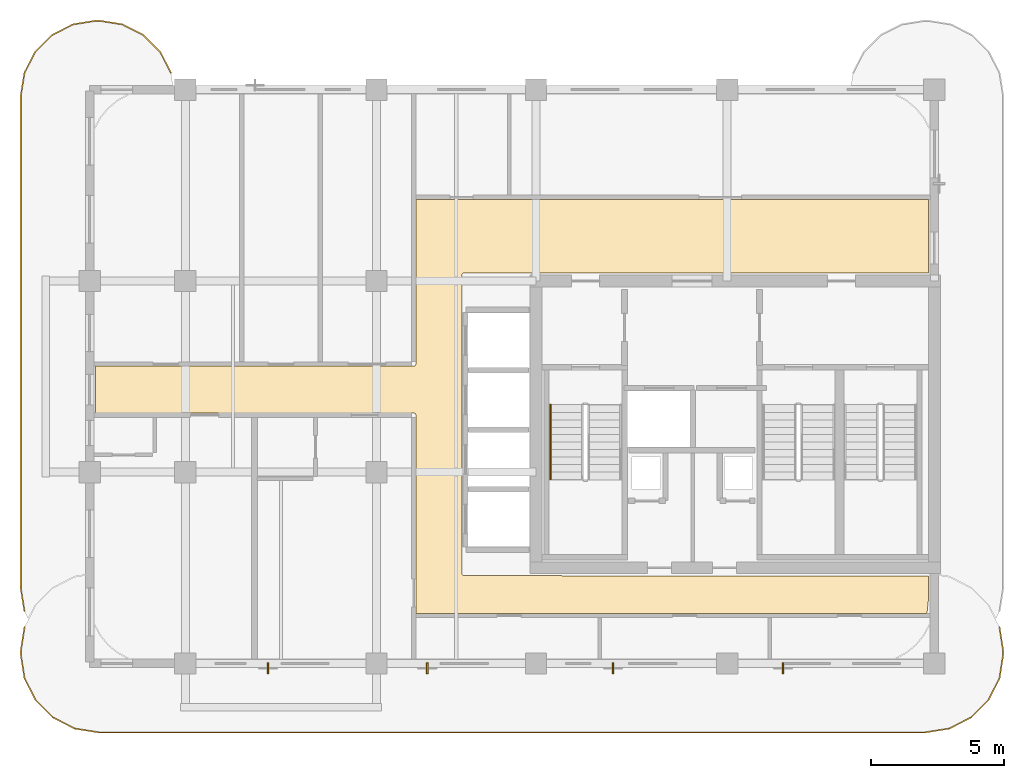
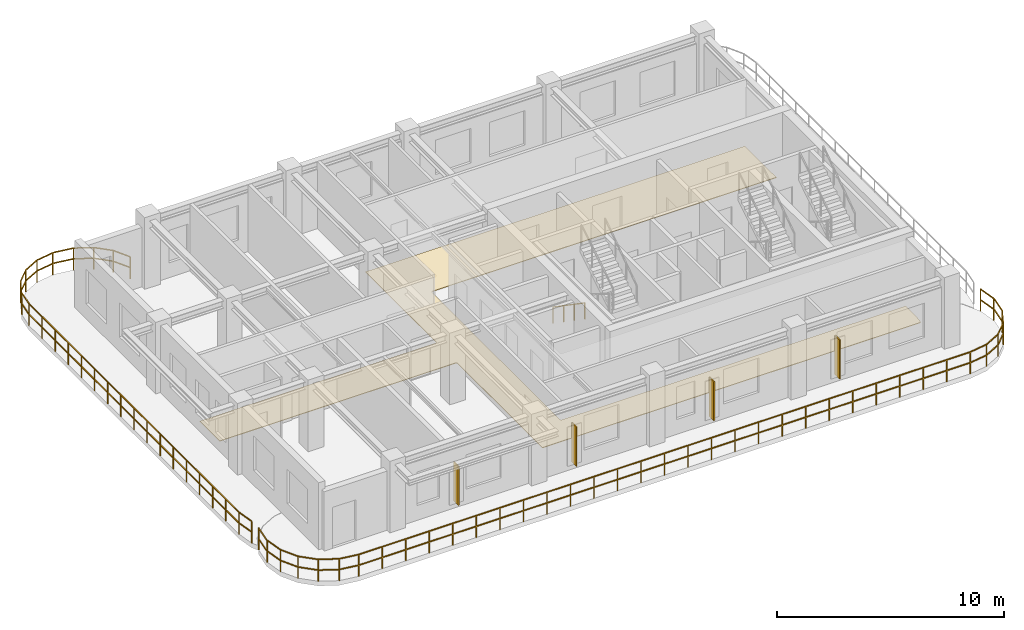
# One storey, part 6 of 8: 4 shading devices, 3 railings, 1 covering.
"""IFC4 building model written with IfcOpenShell, lengths in metres."""

from ifc_helpers import new_model, si_unit, derived_unit, direction, frame, origin, origin_2d, place, context, subcontext, project, spatial, polyline, rectangle, outline, extrude, source, transform, mapped, material, layer, layer_set, type_object, type_shapes, element, save


model = new_model("IFC4")

# Units and contexts
model_context = context("Model", 3, precision=1e-05, world=origin(), true_north=direction((0.0, 1.0)))
body_context = subcontext(model_context, "Body", "Model", "MODEL_VIEW")
ifc_project = project(units=[si_unit("LENGTHUNIT", "METRE"), si_unit("AREAUNIT", "SQUARE_METRE"), si_unit("VOLUMEUNIT", "CUBIC_METRE"), si_unit("PLANEANGLEUNIT", "RADIAN"), si_unit("MASSUNIT", "GRAM", prefix="KILO"), si_unit("THERMODYNAMICTEMPERATUREUNIT", "KELVIN"), si_unit("POWERUNIT", "WATT"), derived_unit("THERMALTRANSMITTANCEUNIT", [(si_unit("POWERUNIT", "WATT"), 1), (si_unit("AREAUNIT", "SQUARE_METRE"), -1), (si_unit("THERMODYNAMICTEMPERATUREUNIT", "KELVIN"), -1)])], contexts=[model_context])

# Site, building, storey
site_placement = place(None, origin())
site = spatial("IfcSite", under=ifc_project, at=site_placement, CompositionType="ELEMENT")
building_placement = place(site_placement, origin())
building = spatial("IfcBuilding", under=site, at=building_placement, Name="Zahravan Archway Hotel and Residences", CompositionType="ELEMENT")
storey_placement = place(building_placement, frame((0.0, 0.0, 263.5)))
storey = spatial("IfcBuildingStorey", under=building, at=storey_placement, Name="L66", CompositionType="ELEMENT", Elevation=263.5)

# Covering
ifc_material_1 = material(Name="Honed Margalla Limestone & Mortar Bed", Category="masonry")
ifc_layer_1 = layer(ifc_material_1, 0.030029296875, Name="Honed Margalla Limestone & Mortar Bed", Category="masonry")
ifc_layer_set_1 = layer_set([ifc_layer_1], Name="Honed Margalla Limestone & Mortar Bed")
covering_type = type_object("IfcCoveringType", Name="COV-FLR-STONE", PredefinedType="FLOORING", material=ifc_layer_set_1)
covering_placement = place(storey_placement, origin())
element("IfcCovering", 1, at=covering_placement, inside=storey, type_object=covering_type, Name="L66 Circulation Floor Finish", PredefinedType="FLOORING", context=body_context, shape_type="SweptSolid", body=[
    extrude(outline(polyline([(30.215576171875, 11.19140625), (30.256591796875, 11.21337890625), (30.278564453125, 11.25439453125), (30.280029296875, 17.469970703125), (49.580078125, 17.469970703125), (49.580078125, 14.705078125), (32.10009765625, 14.705078125), (32.0556640625, 14.69140625), (32.026123046875, 14.655517578125), (32.02001953125, 3.375), (32.033447265625, 3.33056640625), (32.0693359375, 3.301025390625), (49.580078125, 3.294921875), (49.580078125, 2.410888671875), (49.537109375, 1.974853515625), (49.50830078125, 1.8798828125), (30.280029296875, 1.8798828125), (30.280029296875, 9.35009765625), (30.2666015625, 9.394287109375), (30.230712890625, 9.423828125), (18.219970703125, 9.429931640625), (18.219970703125, 11.18994140625), (30.199951171875, 11.18994140625), (30.215576171875, 11.19140625)])), origin(), (0.0, 0.0, 1.0), 0.030029296875),
])

# Railings
ifc_material_2 = material(Name="Bronze & Laminated Glass Balustrade", Category="glass")
railing_type_1 = type_object("IfcRailingType", Name="RL-BAL-1200", PredefinedType="BALUSTRADE", material=ifc_material_2)
railing_1_placement = place(storey_placement, frame((52.255615234375, 1.361572265625, 0.0)))
element("IfcRailing", 2, at=railing_1_placement, inside=storey, type_object=railing_type_1, Name="L66 Balustrade RL-SLB-BAL-L66-SA-1", PredefinedType="BALUSTRADE", context=body_context, shape_type="SweptSolid", body=[
    extrude(rectangle(XDim=0.048095703125, YDim=0.048095703125, at=origin_2d()), frame((0.0, 0.0, 1.17578125), z_axis=(0.156329311416, -0.987704989555, 0.0), x_axis=(0.987704989555, 0.156329311416, 0.0)), (0.0, 0.0, 1.0), 0.9228515625),
    extrude(rectangle(XDim=0.048095703125, YDim=0.048095703125, at=origin_2d()), frame((0.0, 0.0, 0.60009765625), z_axis=(0.156329311416, -0.987704989555, 0.0), x_axis=(0.987704989555, 0.156329311416, 0.0)), (0.0, 0.0, 1.0), 0.9228515625),
    extrude(rectangle(XDim=0.048095703125, YDim=0.048095703125, at=origin_2d()), frame((0.144287109375, -0.91162109375, 1.17578125), z_axis=(0.0, -1.0, 0.0), x_axis=(1.0, 0.0, 0.0)), (0.0, 0.0, 1.0), 0.099853515625),
    extrude(rectangle(XDim=0.048095703125, YDim=0.048095703125, at=origin_2d()), frame((0.144287109375, -0.91162109375, 0.60009765625), z_axis=(0.0, -1.0, 0.0), x_axis=(1.0, 0.0, 0.0)), (0.0, 0.0, 1.0), 0.099853515625),
    extrude(rectangle(XDim=0.048095703125, YDim=0.048095703125, at=origin_2d()), frame((0.144287109375, -1.011474609375, 1.17578125), z_axis=(-0.156329311416, -0.987704989555, 0.0), x_axis=(0.987704989555, -0.156329311416, 0.0)), (0.0, 0.0, 1.0), 0.9228515625),
    extrude(rectangle(XDim=0.048095703125, YDim=0.048095703125, at=origin_2d()), frame((0.144287109375, -1.011474609375, 0.60009765625), z_axis=(-0.156329311416, -0.987704989555, 0.0), x_axis=(0.987704989555, -0.156329311416, 0.0)), (0.0, 0.0, 1.0), 0.9228515625),
    extrude(rectangle(XDim=0.048095703125, YDim=0.048095703125, at=origin_2d()), frame((0.0, -1.923095703125, 1.17578125), z_axis=(-0.453866348456, -0.891069771532, 0.0), x_axis=(0.891069771532, -0.453866348456, 0.0)), (0.0, 0.0, 1.0), 0.923095703125),
    extrude(rectangle(XDim=0.048095703125, YDim=0.048095703125, at=origin_2d()), frame((0.0, -1.923095703125, 0.60009765625), z_axis=(-0.453866348456, -0.891069771532, 0.0), x_axis=(0.891069771532, -0.453866348456, 0.0)), (0.0, 0.0, 1.0), 0.923095703125),
    extrude(rectangle(XDim=0.048095703125, YDim=0.048095703125, at=origin_2d()), frame((-0.4189453125, -2.74560546875, 1.17578125), z_axis=(-0.707106781187, -0.707106781187, 0.0), x_axis=(0.707106781187, -0.707106781187, 0.0)), (0.0, 0.0, 1.0), 0.9228515625),
    extrude(rectangle(XDim=0.048095703125, YDim=0.048095703125, at=origin_2d()), frame((-0.4189453125, -2.74560546875, 0.60009765625), z_axis=(-0.707106781187, -0.707106781187, 0.0), x_axis=(0.707106781187, -0.707106781187, 0.0)), (0.0, 0.0, 1.0), 0.9228515625),
    extrude(rectangle(XDim=0.048095703125, YDim=0.048095703125, at=origin_2d()), frame((-1.071533203125, -3.398193359375, 1.17578125), z_axis=(-0.891069771532, -0.453866348456, 0.0), x_axis=(0.453866348456, -0.891069771532, 0.0)), (0.0, 0.0, 1.0), 0.923095703125),
    extrude(rectangle(XDim=0.048095703125, YDim=0.048095703125, at=origin_2d()), frame((-1.071533203125, -3.398193359375, 0.60009765625), z_axis=(-0.891069771532, -0.453866348456, 0.0), x_axis=(0.453866348456, -0.891069771532, 0.0)), (0.0, 0.0, 1.0), 0.923095703125),
    extrude(rectangle(XDim=0.048095703125, YDim=0.048095703125, at=origin_2d()), frame((-1.89404296875, -3.817138671875, 1.17578125), z_axis=(-0.98766411426, -0.156587347521, 0.0), x_axis=(0.156587347521, -0.98766411426, 0.0)), (0.0, 0.0, 1.0), 0.923095703125),
    extrude(rectangle(XDim=0.048095703125, YDim=0.048095703125, at=origin_2d()), frame((-1.89404296875, -3.817138671875, 0.60009765625), z_axis=(-0.98766411426, -0.156587347521, 0.0), x_axis=(0.156587347521, -0.98766411426, 0.0)), (0.0, 0.0, 1.0), 0.923095703125),
    extrude(rectangle(XDim=0.048095703125, YDim=0.048095703125, at=origin_2d()), frame((-2.8056640625, -3.961669921875, 1.17578125), z_axis=(-1.0, 0.0, 0.0), x_axis=(0.0, -1.0, 0.0)), (0.0, 0.0, 1.0), 31.099853515625),
    extrude(rectangle(XDim=0.048095703125, YDim=0.048095703125, at=origin_2d()), frame((-2.8056640625, -3.961669921875, 0.60009765625), z_axis=(-1.0, 0.0, 0.0), x_axis=(0.0, -1.0, 0.0)), (0.0, 0.0, 1.0), 31.099853515625),
    extrude(rectangle(XDim=0.048095703125, YDim=0.048095703125, at=origin_2d()), frame((-33.905517578125, -3.961669921875, 1.17578125), z_axis=(-0.98766411426, 0.156587347521, 0.0), x_axis=(-0.156587347521, -0.98766411426, 0.0)), (0.0, 0.0, 1.0), 0.923095703125),
    extrude(rectangle(XDim=0.048095703125, YDim=0.048095703125, at=origin_2d()), frame((-33.905517578125, -3.961669921875, 0.60009765625), z_axis=(-0.98766411426, 0.156587347521, 0.0), x_axis=(-0.156587347521, -0.98766411426, 0.0)), (0.0, 0.0, 1.0), 0.923095703125),
    extrude(rectangle(XDim=0.048095703125, YDim=0.048095703125, at=origin_2d()), frame((-34.817138671875, -3.817138671875, 1.17578125), z_axis=(-0.891069771532, 0.453866348456, 0.0), x_axis=(-0.453866348456, -0.891069771532, 0.0)), (0.0, 0.0, 1.0), 0.923095703125),
    extrude(rectangle(XDim=0.048095703125, YDim=0.048095703125, at=origin_2d()), frame((-34.817138671875, -3.817138671875, 0.60009765625), z_axis=(-0.891069771532, 0.453866348456, 0.0), x_axis=(-0.453866348456, -0.891069771532, 0.0)), (0.0, 0.0, 1.0), 0.923095703125),
    extrude(rectangle(XDim=0.048095703125, YDim=0.048095703125, at=origin_2d()), frame((-35.6396484375, -3.398193359375, 1.17578125), z_axis=(-0.707106781187, 0.707106781187, 0.0), x_axis=(-0.707106781187, -0.707106781187, 0.0)), (0.0, 0.0, 1.0), 0.9228515625),
    extrude(rectangle(XDim=0.048095703125, YDim=0.048095703125, at=origin_2d()), frame((-35.6396484375, -3.398193359375, 0.60009765625), z_axis=(-0.707106781187, 0.707106781187, 0.0), x_axis=(-0.707106781187, -0.707106781187, 0.0)), (0.0, 0.0, 1.0), 0.9228515625),
    extrude(rectangle(XDim=0.048095703125, YDim=0.048095703125, at=origin_2d()), frame((-36.292236328125, -2.74560546875, 1.17578125), z_axis=(-0.453866348456, 0.891069771532, 0.0), x_axis=(-0.891069771532, -0.453866348456, 0.0)), (0.0, 0.0, 1.0), 0.923095703125),
    extrude(rectangle(XDim=0.048095703125, YDim=0.048095703125, at=origin_2d()), frame((-36.292236328125, -2.74560546875, 0.60009765625), z_axis=(-0.453866348456, 0.891069771532, 0.0), x_axis=(-0.891069771532, -0.453866348456, 0.0)), (0.0, 0.0, 1.0), 0.923095703125),
    extrude(rectangle(XDim=0.048095703125, YDim=0.048095703125, at=origin_2d()), frame((-36.711181640625, -1.923095703125, 1.17578125), z_axis=(-0.156587347521, 0.98766411426, 0.0), x_axis=(-0.98766411426, -0.156587347521, 0.0)), (0.0, 0.0, 1.0), 0.923095703125),
    extrude(rectangle(XDim=0.048095703125, YDim=0.048095703125, at=origin_2d()), frame((-36.711181640625, -1.923095703125, 0.60009765625), z_axis=(-0.156587347521, 0.98766411426, 0.0), x_axis=(-0.98766411426, -0.156587347521, 0.0)), (0.0, 0.0, 1.0), 0.923095703125),
    extrude(rectangle(XDim=0.048095703125, YDim=0.048095703125, at=origin_2d()), frame((-36.855712890625, -1.011474609375, 1.17578125), z_axis=(0.0, 1.0, 0.0), x_axis=(-1.0, 0.0, 0.0)), (0.0, 0.0, 1.0), 0.099853515625),
    extrude(rectangle(XDim=0.048095703125, YDim=0.048095703125, at=origin_2d()), frame((-36.855712890625, -1.011474609375, 0.60009765625), z_axis=(0.0, 1.0, 0.0), x_axis=(-1.0, 0.0, 0.0)), (0.0, 0.0, 1.0), 0.099853515625),
    extrude(rectangle(XDim=0.048095703125, YDim=0.048095703125, at=origin_2d()), frame((-36.855712890625, -0.91162109375, 1.17578125), z_axis=(0.156587347521, 0.98766411426, 0.0), x_axis=(-0.98766411426, 0.156587347521, 0.0)), (0.0, 0.0, 1.0), 0.923095703125),
    extrude(rectangle(XDim=0.048095703125, YDim=0.048095703125, at=origin_2d()), frame((-36.855712890625, -0.91162109375, 0.60009765625), z_axis=(0.156587347521, 0.98766411426, 0.0), x_axis=(-0.98766411426, 0.156587347521, 0.0)), (0.0, 0.0, 1.0), 0.923095703125),
    extrude(rectangle(XDim=0.0419921875, YDim=0.0419921875, at=origin_2d()), origin(), (0.0, 0.0, 1.0), 1.15185546875),
    extrude(rectangle(XDim=0.0419921875, YDim=0.0419921875, at=origin_2d()), frame((0.144287109375, -0.91162109375, 0.0)), (0.0, 0.0, 1.0), 1.15185546875),
    extrude(rectangle(XDim=0.0419921875, YDim=0.0419921875, at=origin_2d()), frame((0.0, -1.923095703125, 0.0)), (0.0, 0.0, 1.0), 1.15185546875),
    extrude(rectangle(XDim=0.0419921875, YDim=0.0419921875, at=origin_2d()), frame((-0.4189453125, -2.74560546875, 0.0)), (0.0, 0.0, 1.0), 1.15185546875),
    extrude(rectangle(XDim=0.0419921875, YDim=0.0419921875, at=origin_2d()), frame((-1.071533203125, -3.398193359375, 0.0)), (0.0, 0.0, 1.0), 1.15185546875),
    extrude(rectangle(XDim=0.0419921875, YDim=0.0419921875, at=origin_2d()), frame((-1.89404296875, -3.817138671875, 0.0)), (0.0, 0.0, 1.0), 1.15185546875),
    extrude(rectangle(XDim=0.0419921875, YDim=0.0419921875, at=origin_2d()), frame((-2.8056640625, -3.961669921875, 0.0)), (0.0, 0.0, 1.0), 1.15185546875),
    extrude(rectangle(XDim=0.0419921875, YDim=0.0419921875, at=origin_2d()), frame((-4.001708984375, -3.961669921875, 0.0)), (0.0, 0.0, 1.0), 1.15185546875),
    extrude(rectangle(XDim=0.0419921875, YDim=0.0419921875, at=origin_2d()), frame((-5.197998046875, -3.961669921875, 0.0)), (0.0, 0.0, 1.0), 1.15185546875),
    extrude(rectangle(XDim=0.0419921875, YDim=0.0419921875, at=origin_2d()), frame((-6.39404296875, -3.961669921875, 0.0)), (0.0, 0.0, 1.0), 1.15185546875),
    extrude(rectangle(XDim=0.0419921875, YDim=0.0419921875, at=origin_2d()), frame((-7.59033203125, -3.961669921875, 0.0)), (0.0, 0.0, 1.0), 1.15185546875),
    extrude(rectangle(XDim=0.0419921875, YDim=0.0419921875, at=origin_2d()), frame((-8.786376953125, -3.961669921875, 0.0)), (0.0, 0.0, 1.0), 1.15185546875),
    extrude(rectangle(XDim=0.0419921875, YDim=0.0419921875, at=origin_2d()), frame((-9.982666015625, -3.961669921875, 0.0)), (0.0, 0.0, 1.0), 1.15185546875),
    extrude(rectangle(XDim=0.0419921875, YDim=0.0419921875, at=origin_2d()), frame((-11.1787109375, -3.961669921875, 0.0)), (0.0, 0.0, 1.0), 1.15185546875),
    extrude(rectangle(XDim=0.0419921875, YDim=0.0419921875, at=origin_2d()), frame((-12.374755859375, -3.961669921875, 0.0)), (0.0, 0.0, 1.0), 1.15185546875),
    extrude(rectangle(XDim=0.0419921875, YDim=0.0419921875, at=origin_2d()), frame((-13.571044921875, -3.961669921875, 0.0)), (0.0, 0.0, 1.0), 1.15185546875),
    extrude(rectangle(XDim=0.0419921875, YDim=0.0419921875, at=origin_2d()), frame((-14.76708984375, -3.961669921875, 0.0)), (0.0, 0.0, 1.0), 1.15185546875),
    extrude(rectangle(XDim=0.0419921875, YDim=0.0419921875, at=origin_2d()), frame((-15.96337890625, -3.961669921875, 0.0)), (0.0, 0.0, 1.0), 1.15185546875),
    extrude(rectangle(XDim=0.0419921875, YDim=0.0419921875, at=origin_2d()), frame((-17.159423828125, -3.961669921875, 0.0)), (0.0, 0.0, 1.0), 1.15185546875),
    extrude(rectangle(XDim=0.0419921875, YDim=0.0419921875, at=origin_2d()), frame((-18.35546875, -3.961669921875, 0.0)), (0.0, 0.0, 1.0), 1.15185546875),
    extrude(rectangle(XDim=0.0419921875, YDim=0.0419921875, at=origin_2d()), frame((-19.5517578125, -3.961669921875, 0.0)), (0.0, 0.0, 1.0), 1.15185546875),
    extrude(rectangle(XDim=0.0419921875, YDim=0.0419921875, at=origin_2d()), frame((-20.747802734375, -3.961669921875, 0.0)), (0.0, 0.0, 1.0), 1.15185546875),
    extrude(rectangle(XDim=0.0419921875, YDim=0.0419921875, at=origin_2d()), frame((-21.944091796875, -3.961669921875, 0.0)), (0.0, 0.0, 1.0), 1.15185546875),
    extrude(rectangle(XDim=0.0419921875, YDim=0.0419921875, at=origin_2d()), frame((-23.14013671875, -3.961669921875, 0.0)), (0.0, 0.0, 1.0), 1.15185546875),
    extrude(rectangle(XDim=0.0419921875, YDim=0.0419921875, at=origin_2d()), frame((-24.33642578125, -3.961669921875, 0.0)), (0.0, 0.0, 1.0), 1.15185546875),
    extrude(rectangle(XDim=0.0419921875, YDim=0.0419921875, at=origin_2d()), frame((-25.532470703125, -3.961669921875, 0.0)), (0.0, 0.0, 1.0), 1.15185546875),
    extrude(rectangle(XDim=0.0419921875, YDim=0.0419921875, at=origin_2d()), frame((-26.728515625, -3.961669921875, 0.0)), (0.0, 0.0, 1.0), 1.15185546875),
    extrude(rectangle(XDim=0.0419921875, YDim=0.0419921875, at=origin_2d()), frame((-27.9248046875, -3.961669921875, 0.0)), (0.0, 0.0, 1.0), 1.15185546875),
    extrude(rectangle(XDim=0.0419921875, YDim=0.0419921875, at=origin_2d()), frame((-29.120849609375, -3.961669921875, 0.0)), (0.0, 0.0, 1.0), 1.15185546875),
    extrude(rectangle(XDim=0.0419921875, YDim=0.0419921875, at=origin_2d()), frame((-30.317138671875, -3.961669921875, 0.0)), (0.0, 0.0, 1.0), 1.15185546875),
    extrude(rectangle(XDim=0.0419921875, YDim=0.0419921875, at=origin_2d()), frame((-31.51318359375, -3.961669921875, 0.0)), (0.0, 0.0, 1.0), 1.15185546875),
    extrude(rectangle(XDim=0.0419921875, YDim=0.0419921875, at=origin_2d()), frame((-32.70947265625, -3.961669921875, 0.0)), (0.0, 0.0, 1.0), 1.15185546875),
    extrude(rectangle(XDim=0.0419921875, YDim=0.0419921875, at=origin_2d()), frame((-33.905517578125, -3.961669921875, 0.0)), (0.0, 0.0, 1.0), 1.15185546875),
    extrude(rectangle(XDim=0.0419921875, YDim=0.0419921875, at=origin_2d()), frame((-34.817138671875, -3.817138671875, 0.0)), (0.0, 0.0, 1.0), 1.15185546875),
    extrude(rectangle(XDim=0.0419921875, YDim=0.0419921875, at=origin_2d()), frame((-35.6396484375, -3.398193359375, 0.0)), (0.0, 0.0, 1.0), 1.15185546875),
    extrude(rectangle(XDim=0.0419921875, YDim=0.0419921875, at=origin_2d()), frame((-36.292236328125, -2.74560546875, 0.0)), (0.0, 0.0, 1.0), 1.15185546875),
    extrude(rectangle(XDim=0.0419921875, YDim=0.0419921875, at=origin_2d()), frame((-36.711181640625, -1.923095703125, 0.0)), (0.0, 0.0, 1.0), 1.15185546875),
    extrude(rectangle(XDim=0.0419921875, YDim=0.0419921875, at=origin_2d()), frame((-36.855712890625, -1.011474609375, 0.0)), (0.0, 0.0, 1.0), 1.15185546875),
    extrude(rectangle(XDim=0.0419921875, YDim=0.0419921875, at=origin_2d()), frame((-36.711181640625, 0.0, 0.0)), (0.0, 0.0, 1.0), 1.15185546875),
])
railing_2_placement = place(storey_placement, frame((15.53955078125, 1.96923828125, 0.0)))
element("IfcRailing", 3, at=railing_2_placement, inside=storey, type_object=railing_type_1, Name="L66 Balustrade RL-SLB-BAL-L66-WA-1", PredefinedType="BALUSTRADE", context=body_context, shape_type="SweptSolid", body=[
    extrude(rectangle(XDim=0.048095703125, YDim=0.048095703125, at=origin_2d()), frame((0.0, 0.0, 1.17578125), z_axis=(-0.156581054338, 0.98766511198, 0.0), x_axis=(-0.98766511198, -0.156581054338, 0.0)), (0.0, 0.0, 1.0), 0.891845703125),
    extrude(rectangle(XDim=0.048095703125, YDim=0.048095703125, at=origin_2d()), frame((0.0, 0.0, 0.60009765625), z_axis=(-0.156581054338, 0.98766511198, 0.0), x_axis=(-0.98766511198, -0.156581054338, 0.0)), (0.0, 0.0, 1.0), 0.891845703125),
    extrude(rectangle(XDim=0.048095703125, YDim=0.048095703125, at=origin_2d()), frame((-0.1396484375, 0.880859375, 1.17578125), z_axis=(0.0, 1.0, 0.0), x_axis=(-1.0, 0.0, 0.0)), (0.0, 0.0, 1.0), 18.5),
    extrude(rectangle(XDim=0.048095703125, YDim=0.048095703125, at=origin_2d()), frame((-0.1396484375, 0.880859375, 0.60009765625), z_axis=(0.0, 1.0, 0.0), x_axis=(-1.0, 0.0, 0.0)), (0.0, 0.0, 1.0), 18.5),
    extrude(rectangle(XDim=0.048095703125, YDim=0.048095703125, at=origin_2d()), frame((-0.1396484375, 19.380859375, 1.17578125), z_axis=(0.156623399917, 0.987658397726, 0.0), x_axis=(-0.987658397726, 0.156623399917, 0.0)), (0.0, 0.0, 1.0), 0.8916015625),
    extrude(rectangle(XDim=0.048095703125, YDim=0.048095703125, at=origin_2d()), frame((-0.1396484375, 19.380859375, 0.60009765625), z_axis=(0.156623399917, 0.987658397726, 0.0), x_axis=(-0.987658397726, 0.156623399917, 0.0)), (0.0, 0.0, 1.0), 0.8916015625),
    extrude(rectangle(XDim=0.048095703125, YDim=0.048095703125, at=origin_2d()), frame((0.0, 20.261474609375, 1.17578125), z_axis=(0.453991409995, 0.891006060389, 0.0), x_axis=(-0.891006060389, 0.453991409995, 0.0)), (0.0, 0.0, 1.0), 0.8916015625),
    extrude(rectangle(XDim=0.048095703125, YDim=0.048095703125, at=origin_2d()), frame((0.0, 20.261474609375, 0.60009765625), z_axis=(0.453991409995, 0.891006060389, 0.0), x_axis=(-0.891006060389, 0.453991409995, 0.0)), (0.0, 0.0, 1.0), 0.8916015625),
    extrude(rectangle(XDim=0.048095703125, YDim=0.048095703125, at=origin_2d()), frame((0.40478515625, 21.055908203125, 1.17578125), z_axis=(0.706969864397, 0.70724367147, 0.0), x_axis=(-0.70724367147, 0.706969864397, 0.0)), (0.0, 0.0, 1.0), 0.8916015625),
    extrude(rectangle(XDim=0.048095703125, YDim=0.048095703125, at=origin_2d()), frame((0.40478515625, 21.055908203125, 0.60009765625), z_axis=(0.706969864397, 0.70724367147, 0.0), x_axis=(-0.70724367147, 0.706969864397, 0.0)), (0.0, 0.0, 1.0), 0.8916015625),
    extrude(rectangle(XDim=0.048095703125, YDim=0.048095703125, at=origin_2d()), frame((1.03515625, 21.6865234375, 1.17578125), z_axis=(0.891062476022, 0.45388067135, 0.0), x_axis=(-0.45388067135, 0.891062476022, 0.0)), (0.0, 0.0, 1.0), 0.891845703125),
    extrude(rectangle(XDim=0.048095703125, YDim=0.048095703125, at=origin_2d()), frame((1.03515625, 21.6865234375, 0.60009765625), z_axis=(0.891062476022, 0.45388067135, 0.0), x_axis=(-0.45388067135, 0.891062476022, 0.0)), (0.0, 0.0, 1.0), 0.891845703125),
    extrude(rectangle(XDim=0.048095703125, YDim=0.048095703125, at=origin_2d()), frame((1.829833984375, 22.09130859375, 1.17578125), z_axis=(0.987700720307, 0.156356282588, 0.0), x_axis=(-0.156356282588, 0.987700720307, 0.0)), (0.0, 0.0, 1.0), 0.8916015625),
    extrude(rectangle(XDim=0.048095703125, YDim=0.048095703125, at=origin_2d()), frame((1.829833984375, 22.09130859375, 0.60009765625), z_axis=(0.987700720307, 0.156356282588, 0.0), x_axis=(-0.156356282588, 0.987700720307, 0.0)), (0.0, 0.0, 1.0), 0.8916015625),
    extrude(rectangle(XDim=0.048095703125, YDim=0.048095703125, at=origin_2d()), frame((2.71044921875, 22.230712890625, 1.17578125), z_axis=(1.0, 0.0, 0.0), x_axis=(0.0, 1.0, 0.0)), (0.0, 0.0, 1.0), 0.10009765625),
    extrude(rectangle(XDim=0.048095703125, YDim=0.048095703125, at=origin_2d()), frame((2.71044921875, 22.230712890625, 0.60009765625), z_axis=(1.0, 0.0, 0.0), x_axis=(0.0, 1.0, 0.0)), (0.0, 0.0, 1.0), 0.10009765625),
    extrude(rectangle(XDim=0.048095703125, YDim=0.048095703125, at=origin_2d()), frame((2.810546875, 22.230712890625, 1.17578125), z_axis=(0.987700720307, -0.156356282588, 0.0), x_axis=(0.156356282588, 0.987700720307, 0.0)), (0.0, 0.0, 1.0), 0.8916015625),
    extrude(rectangle(XDim=0.048095703125, YDim=0.048095703125, at=origin_2d()), frame((2.810546875, 22.230712890625, 0.60009765625), z_axis=(0.987700720307, -0.156356282588, 0.0), x_axis=(0.156356282588, 0.987700720307, 0.0)), (0.0, 0.0, 1.0), 0.8916015625),
    extrude(rectangle(XDim=0.048095703125, YDim=0.048095703125, at=origin_2d()), frame((3.691162109375, 22.09130859375, 1.17578125), z_axis=(0.891006060389, -0.453991409995, 0.0), x_axis=(0.453991409995, 0.891006060389, 0.0)), (0.0, 0.0, 1.0), 0.8916015625),
    extrude(rectangle(XDim=0.048095703125, YDim=0.048095703125, at=origin_2d()), frame((3.691162109375, 22.09130859375, 0.60009765625), z_axis=(0.891006060389, -0.453991409995, 0.0), x_axis=(0.453991409995, 0.891006060389, 0.0)), (0.0, 0.0, 1.0), 0.8916015625),
    extrude(rectangle(XDim=0.048095703125, YDim=0.048095703125, at=origin_2d()), frame((4.485595703125, 21.6865234375, 1.17578125), z_axis=(0.707106781187, -0.707106781187, 0.0), x_axis=(0.707106781187, 0.707106781187, 0.0)), (0.0, 0.0, 1.0), 0.891845703125),
    extrude(rectangle(XDim=0.048095703125, YDim=0.048095703125, at=origin_2d()), frame((4.485595703125, 21.6865234375, 0.60009765625), z_axis=(0.707106781187, -0.707106781187, 0.0), x_axis=(0.707106781187, 0.707106781187, 0.0)), (0.0, 0.0, 1.0), 0.891845703125),
    extrude(rectangle(XDim=0.048095703125, YDim=0.048095703125, at=origin_2d()), frame((5.1162109375, 21.055908203125, 1.17578125), z_axis=(0.453991409995, -0.891006060389, 0.0), x_axis=(0.891006060389, 0.453991409995, 0.0)), (0.0, 0.0, 1.0), 0.8916015625),
    extrude(rectangle(XDim=0.048095703125, YDim=0.048095703125, at=origin_2d()), frame((5.1162109375, 21.055908203125, 0.60009765625), z_axis=(0.453991409995, -0.891006060389, 0.0), x_axis=(0.891006060389, 0.453991409995, 0.0)), (0.0, 0.0, 1.0), 0.8916015625),
    extrude(rectangle(XDim=0.0419921875, YDim=0.0419921875, at=origin_2d()), origin(), (0.0, 0.0, 1.0), 1.15185546875),
    extrude(rectangle(XDim=0.0419921875, YDim=0.0419921875, at=origin_2d()), frame((-0.1396484375, 0.880859375, 0.0)), (0.0, 0.0, 1.0), 1.15185546875),
    extrude(rectangle(XDim=0.0419921875, YDim=0.0419921875, at=origin_2d()), frame((-0.1396484375, 2.037109375, 0.0)), (0.0, 0.0, 1.0), 1.15185546875),
    extrude(rectangle(XDim=0.0419921875, YDim=0.0419921875, at=origin_2d()), frame((-0.1396484375, 3.193359375, 0.0)), (0.0, 0.0, 1.0), 1.15185546875),
    extrude(rectangle(XDim=0.0419921875, YDim=0.0419921875, at=origin_2d()), frame((-0.1396484375, 4.349609375, 0.0)), (0.0, 0.0, 1.0), 1.15185546875),
    extrude(rectangle(XDim=0.0419921875, YDim=0.0419921875, at=origin_2d()), frame((-0.1396484375, 5.505859375, 0.0)), (0.0, 0.0, 1.0), 1.15185546875),
    extrude(rectangle(XDim=0.0419921875, YDim=0.0419921875, at=origin_2d()), frame((-0.1396484375, 6.662109375, 0.0)), (0.0, 0.0, 1.0), 1.15185546875),
    extrude(rectangle(XDim=0.0419921875, YDim=0.0419921875, at=origin_2d()), frame((-0.1396484375, 7.818359375, 0.0)), (0.0, 0.0, 1.0), 1.15185546875),
    extrude(rectangle(XDim=0.0419921875, YDim=0.0419921875, at=origin_2d()), frame((-0.1396484375, 8.974609375, 0.0)), (0.0, 0.0, 1.0), 1.15185546875),
    extrude(rectangle(XDim=0.0419921875, YDim=0.0419921875, at=origin_2d()), frame((-0.1396484375, 10.130859375, 0.0)), (0.0, 0.0, 1.0), 1.15185546875),
    extrude(rectangle(XDim=0.0419921875, YDim=0.0419921875, at=origin_2d()), frame((-0.1396484375, 11.287109375, 0.0)), (0.0, 0.0, 1.0), 1.15185546875),
    extrude(rectangle(XDim=0.0419921875, YDim=0.0419921875, at=origin_2d()), frame((-0.1396484375, 12.443359375, 0.0)), (0.0, 0.0, 1.0), 1.15185546875),
    extrude(rectangle(XDim=0.0419921875, YDim=0.0419921875, at=origin_2d()), frame((-0.1396484375, 13.599609375, 0.0)), (0.0, 0.0, 1.0), 1.15185546875),
    extrude(rectangle(XDim=0.0419921875, YDim=0.0419921875, at=origin_2d()), frame((-0.1396484375, 14.755859375, 0.0)), (0.0, 0.0, 1.0), 1.15185546875),
    extrude(rectangle(XDim=0.0419921875, YDim=0.0419921875, at=origin_2d()), frame((-0.1396484375, 15.912109375, 0.0)), (0.0, 0.0, 1.0), 1.15185546875),
    extrude(rectangle(XDim=0.0419921875, YDim=0.0419921875, at=origin_2d()), frame((-0.1396484375, 17.068359375, 0.0)), (0.0, 0.0, 1.0), 1.15185546875),
    extrude(rectangle(XDim=0.0419921875, YDim=0.0419921875, at=origin_2d()), frame((-0.1396484375, 18.224609375, 0.0)), (0.0, 0.0, 1.0), 1.15185546875),
    extrude(rectangle(XDim=0.0419921875, YDim=0.0419921875, at=origin_2d()), frame((-0.1396484375, 19.380859375, 0.0)), (0.0, 0.0, 1.0), 1.15185546875),
    extrude(rectangle(XDim=0.0419921875, YDim=0.0419921875, at=origin_2d()), frame((0.0, 20.261474609375, 0.0)), (0.0, 0.0, 1.0), 1.15185546875),
    extrude(rectangle(XDim=0.0419921875, YDim=0.0419921875, at=origin_2d()), frame((0.40478515625, 21.055908203125, 0.0)), (0.0, 0.0, 1.0), 1.15185546875),
    extrude(rectangle(XDim=0.0419921875, YDim=0.0419921875, at=origin_2d()), frame((1.03515625, 21.6865234375, 0.0)), (0.0, 0.0, 1.0), 1.15185546875),
    extrude(rectangle(XDim=0.0419921875, YDim=0.0419921875, at=origin_2d()), frame((1.829833984375, 22.09130859375, 0.0)), (0.0, 0.0, 1.0), 1.15185546875),
    extrude(rectangle(XDim=0.0419921875, YDim=0.0419921875, at=origin_2d()), frame((2.71044921875, 22.230712890625, 0.0)), (0.0, 0.0, 1.0), 1.15185546875),
    extrude(rectangle(XDim=0.0419921875, YDim=0.0419921875, at=origin_2d()), frame((3.691162109375, 22.09130859375, 0.0)), (0.0, 0.0, 1.0), 1.15185546875),
    extrude(rectangle(XDim=0.0419921875, YDim=0.0419921875, at=origin_2d()), frame((4.485595703125, 21.6865234375, 0.0)), (0.0, 0.0, 1.0), 1.15185546875),
    extrude(rectangle(XDim=0.0419921875, YDim=0.0419921875, at=origin_2d()), frame((5.1162109375, 21.055908203125, 0.0)), (0.0, 0.0, 1.0), 1.15185546875),
    extrude(rectangle(XDim=0.0419921875, YDim=0.0419921875, at=origin_2d()), frame((5.52099609375, 20.261474609375, 0.0)), (0.0, 0.0, 1.0), 1.15185546875),
])
ifc_material_3 = material(Name="Brushed Stainless Steel", Category="steel")
railing_type_2 = type_object("IfcRailingType", Name="RL-STH-900", PredefinedType="HANDRAIL", material=ifc_material_3)
railing_3_placement = place(storey_placement, frame((35.35009765625, 9.72998046875, 0.175048828125)))
element("IfcRailing", 4, at=railing_3_placement, inside=storey, type_object=railing_type_2, Name="L66 ST-A1 stair handrail 1", PredefinedType="HANDRAIL", context=body_context, shape_type="SweptSolid", body=[
    extrude(rectangle(XDim=0.048095703125, YDim=0.048095703125, at=origin_2d()), frame((0.0, 0.0, 0.8759765625), z_axis=(0.0, -0.824039827795, 0.566531872191), x_axis=(1.0, 0.0, 0.0)), (0.0, 0.0, 1.0), 3.39794921875),
    extrude(rectangle(XDim=0.0419921875, YDim=0.0419921875, at=origin_2d()), origin(), (0.0, 0.0, 1.0), 0.851806640625),
    extrude(rectangle(XDim=0.0419921875, YDim=0.0419921875, at=origin_2d()), frame((0.0, -0.933349609375, 0.6416015625)), (0.0, 0.0, 1.0), 0.851806640625),
    extrude(rectangle(XDim=0.0419921875, YDim=0.0419921875, at=origin_2d()), frame((0.0, -1.86669921875, 1.283447265625)), (0.0, 0.0, 1.0), 0.851806640625),
    extrude(rectangle(XDim=0.0419921875, YDim=0.0419921875, at=origin_2d()), frame((0.0, -2.800048828125, 1.925048828125)), (0.0, 0.0, 1.0), 0.851806640625),
])

# Shading devices
ifc_material_4 = material(Name="Terracotta & Bronze Solar Brise-Soleil", Category="masonry")
ifc_layer_2 = layer(ifc_material_4, 0.06005859375, Name="Terracotta & Bronze Solar Brise-Soleil", Category="masonry")
ifc_layer_set_2 = layer_set([ifc_layer_2], Name="Terracotta & Bronze Solar Brise-Soleil")
shading_device_type = type_object("IfcShadingDeviceType", Name="SHD-MASH-FIN", PredefinedType="JALOUSIE", material=ifc_layer_set_2)
shared_shape = source(origin(), body_context, "Body", "SweptSolid", [
    extrude(rectangle(XDim=0.06005859375, YDim=0.419921875, at=origin_2d()), origin(), (0.0, 0.0, 1.0), 2.10009765625),
])
type_shapes(shading_device_type, [shared_shape])
for number, where, z_axis, x_axis, name in (
    (5, (24.7080078125, -0.177978515625, 0.25), (0.0, 0.0, 1.0), (1.0, 0.0, 0.0), "L66 Solar Mashrabiya Fin 01"),
    (6, (30.7080078125, -0.177978515625, 0.25), (0.0, 0.0, 1.0), (1.0, 0.0, 0.0), "L66 Solar Mashrabiya Fin 02"),
    (7, (37.7080078125, -0.177978515625, 0.25), (0.0, 0.0, 1.0), (1.0, 0.0, 0.0), "L66 Solar Mashrabiya Fin 03"),
    (8, (44.10791015625, -0.177978515625, 0.25), (0.0, 0.0, 1.0), (1.0, 0.0, 0.0), "L66 Solar Mashrabiya Fin 04"),
):
    element("IfcShadingDevice", number, at=place(storey_placement, frame(where, z_axis=z_axis, x_axis=x_axis)), inside=storey, type_object=shading_device_type, Name=name, PredefinedType="JALOUSIE", context=body_context, shape_type="MappedRepresentation", body=[
        mapped(shared_shape, transform((0.0, 0.0, 0.0), scale=1.0)),
    ])

save(model, "model.ifc")
